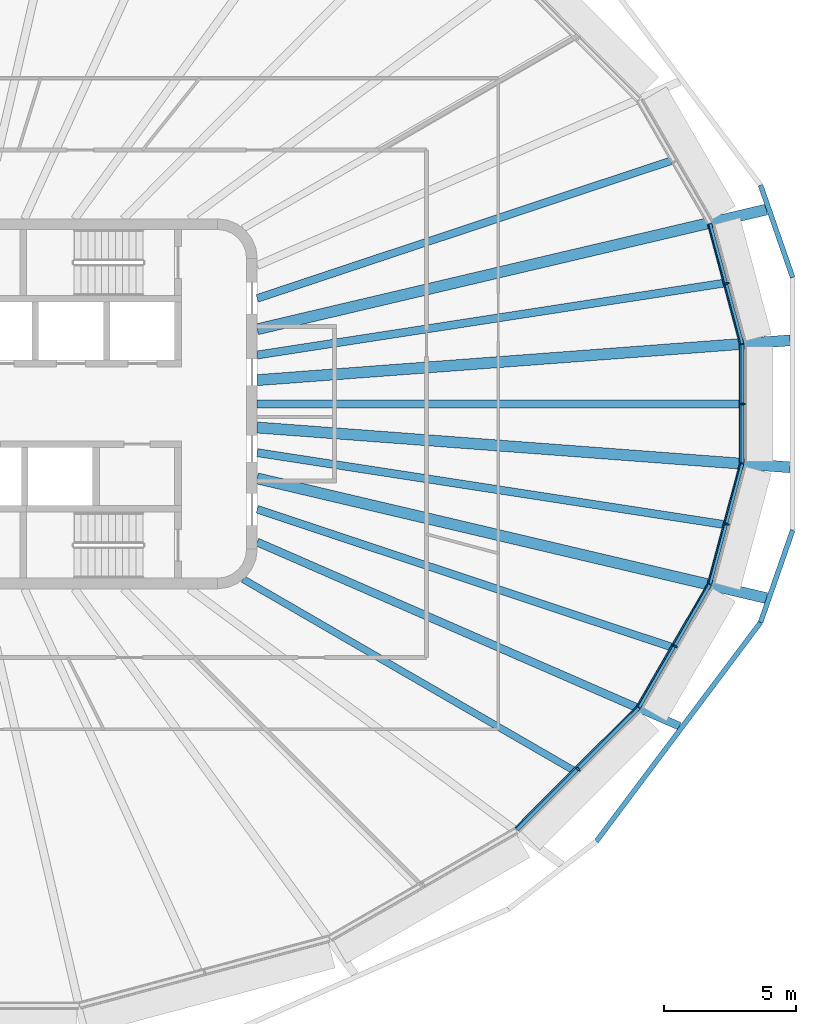
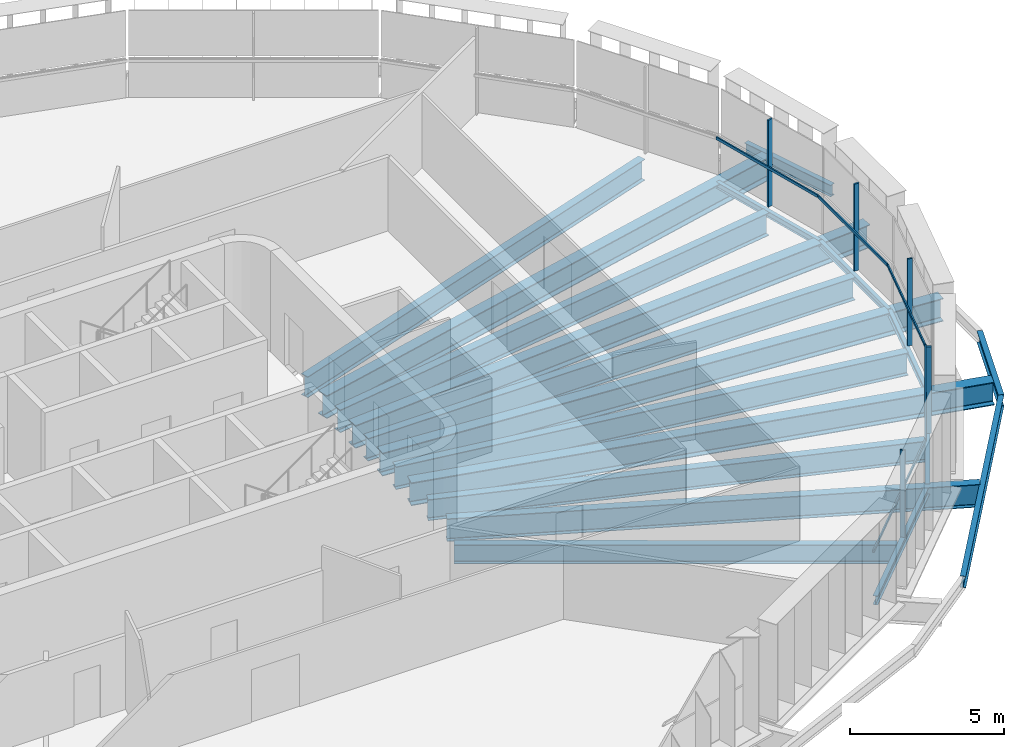
# One storey, part 4 of 19: 19 beams, 10 members, 5 elements without a shape of their own.
"""IFC4 building model written with IfcOpenShell, lengths in metres."""

from ifc_helpers import new_model, si_unit, direction, frame, origin, origin_2d, place, context, subcontext, project, spatial, rectangle, i_section, extrude, material, layer, layer_set, material_profile, profile_set, type_object, element, aggregate, save


model = new_model("IFC4")

# Units and contexts
model_context = context("Model", 3, precision=1e-05, world=origin(), true_north=direction((0.0, 1.0)))
body_context = subcontext(model_context, "Body", "Model", "MODEL_VIEW")
ifc_project = project(units=[si_unit("LENGTHUNIT", "METRE"), si_unit("AREAUNIT", "SQUARE_METRE"), si_unit("VOLUMEUNIT", "CUBIC_METRE"), si_unit("PLANEANGLEUNIT", "RADIAN"), si_unit("MASSUNIT", "GRAM", prefix="KILO")], contexts=[model_context])

# Site, building, storey
site_placement = place(None, origin())
site = spatial("IfcSite", under=ifc_project, at=site_placement, CompositionType="ELEMENT")
building_placement = place(site_placement, origin())
building = spatial("IfcBuilding", under=site, at=building_placement, Name="Sahrelin Media Tower", CompositionType="ELEMENT")
storey_placement = place(building_placement, frame((0.0, 0.0, 229.60009765625)))
storey = spatial("IfcBuildingStorey", under=building, at=storey_placement, Name="L49", CompositionType="ELEMENT", Elevation=229.60009765625)

# Beams
ifc_material_1 = material(Name="Steel S355", Category="steel")
ifc_material_profile_1 = material_profile(ifc_material_1, i_section(OverallWidth=0.14599609375, OverallDepth=0.25146484375, WebThickness=0.006103515625, FlangeThickness=0.008544921875, FilletRadius=0.007568359375, at=origin_2d()), Name="UB 254x146x31")
ifc_profile_set_1 = profile_set([ifc_material_profile_1], Name="Steel S355")
beam_type_1 = type_object("IfcBeamType", Name="Edge beam EB1", PredefinedType="BEAM", material=ifc_profile_set_1)
beam_1_placement = place(storey_placement, frame((30.343994140625, 2.24365234375, -0.27587890625), z_axis=(0.0, -1.0, 0.0), x_axis=(1.0, 0.0, 0.0)))
element("IfcBeam", 1, at=beam_1_placement, inside=storey, type_object=beam_type_1, Name="Edge beam L49-01", PredefinedType="BEAM", context=body_context, shape_type="SweptSolid", body=[
    extrude(i_section(OverallWidth=0.14599609375, OverallDepth=0.25146484375, WebThickness=0.006103515625, FlangeThickness=0.008544921875, FilletRadius=0.007568359375, at=origin_2d()), origin(), (0.0, 0.0, 1.0), 4.4873046875),
])
for number, where, z_axis, x_axis, name in (
    (2, (30.34033203125, -2.272216796875, -0.27587890625), (-0.258794986655, -0.965932272409, 0.0), (0.965932272409, -0.258794986655, 0.0), "Edge beam L49-02"),
    (3, (29.125, 6.808349609375, -0.27587890625), (0.258794986655, -0.965932272409, 0.0), (0.965932272409, 0.258794986655, 0.0), "Edge beam L49-20"),
):
    element("IfcBeam", number, at=place(storey_placement, frame(where, z_axis=z_axis, x_axis=x_axis)), inside=storey, type_object=beam_type_1, Name=name, PredefinedType="BEAM", context=body_context, shape_type="SweptSolid", body=[
        extrude(i_section(OverallWidth=0.14599609375, OverallDepth=0.25146484375, WebThickness=0.006103515625, FlangeThickness=0.008544921875, FilletRadius=0.007568359375, at=origin_2d()), origin(), (0.0, 0.0, 1.0), 4.696044921875),
    ])
ifc_material_profile_2 = material_profile(ifc_material_1, i_section(OverallWidth=0.1650390625, OverallDepth=0.303466796875, WebThickness=0.006103515625, FlangeThickness=0.01025390625, FilletRadius=0.0087890625, at=origin_2d()), Name="UB 305x165x40")
ifc_profile_set_2 = profile_set([ifc_material_profile_2], Name="Steel S355")
beam_type_2 = type_object("IfcBeamType", Name="Edge beam EB2", PredefinedType="BEAM", material=ifc_profile_set_2)
beam_2_placement = place(storey_placement, frame((29.114013671875, -6.8349609375, -0.3017578125), z_axis=(-0.500023797175, -0.866011664043, 0.0), x_axis=(0.866011664043, -0.500023797175, 0.0)))
element("IfcBeam", 4, at=beam_2_placement, inside=storey, type_object=beam_type_2, Name="Edge beam L49-03", PredefinedType="BEAM", context=body_context, shape_type="SweptSolid", body=[
    extrude(i_section(OverallWidth=0.1650390625, OverallDepth=0.303466796875, WebThickness=0.006103515625, FlangeThickness=0.01025390625, FilletRadius=0.0087890625, at=origin_2d()), origin(), (0.0, 0.0, 1.0), 5.353271484375),
])
ifc_material_profile_3 = material_profile(ifc_material_1, i_section(OverallWidth=0.17138671875, OverallDepth=0.35498046875, WebThickness=0.00732421875, FlangeThickness=0.011474609375, FilletRadius=0.01025390625, at=origin_2d()), Name="UB 356x171x51")
ifc_profile_set_3 = profile_set([ifc_material_profile_3], Name="Steel S355")
beam_type_3 = type_object("IfcBeamType", Name="Edge beam EB3", PredefinedType="BEAM", material=ifc_profile_set_3)
beam_3_placement = place(storey_placement, frame((26.419921875, -11.493896484375, -0.32763671875), z_axis=(-0.707125508771, -0.707088053106, 0.0), x_axis=(0.707088053106, -0.707125508771, 0.0)))
element("IfcBeam", 5, at=beam_3_placement, inside=storey, type_object=beam_type_3, Name="Edge beam L49-04", PredefinedType="BEAM", context=body_context, shape_type="SweptSolid", body=[
    extrude(i_section(OverallWidth=0.17138671875, OverallDepth=0.35498046875, WebThickness=0.00732421875, FlangeThickness=0.011474609375, FilletRadius=0.01025390625, at=origin_2d()), origin(), (0.0, 0.0, 1.0), 6.51806640625),
])

# Curtain wall, member
ifc_material_2 = material(Name="Champagne anodised aluminium 6063-T6", Category="aluminium")
ifc_layer = layer(ifc_material_2, 0.14990234375)
ifc_layer_set = layer_set([ifc_layer], Name="Tower ribbon curtain wall")
curtain_wall_type = type_object("IfcCurtainWallType", Name="Tower ribbon curtain wall", PredefinedType="NOTDEFINED", material=ifc_layer_set)
curtain_wall_1_placement = place(storey_placement, frame((30.494140625, 0.0, 0.0), z_axis=(0.0, 0.0, 1.0), x_axis=(1.0, 0.0, 0.0)))
curtain_wall_1 = element("IfcCurtainWall", 6, at=curtain_wall_1_placement, inside=storey, type_object=curtain_wall_type, Name="L49:CW:L49-00", PredefinedType="NOTDEFINED")
ifc_material_profile_4 = material_profile(ifc_material_2, rectangle(XDim=0.06005859375, YDim=0.175048828125, at=origin_2d()), Name="Mullion 60x175")
ifc_profile_set_4 = profile_set([ifc_material_profile_4], Name="Champagne anodised aluminium 6063-T6")
member_type_1 = type_object("IfcMemberType", Name="Mullion 60x175 CW1B", PredefinedType="MULLION", material=ifc_profile_set_4)
member_1_placement = place(storey_placement, frame((30.38671875, 0.0, 0.0), z_axis=(0.0, 0.0, 1.0), x_axis=(0.0, 1.0, 0.0)))
member_1 = element("IfcMember", 7, at=member_1_placement, type_object=member_type_1, Name="L49:CWM:L49-00", PredefinedType="MULLION", context=body_context, shape_type="SweptSolid", body=[
    extrude(rectangle(XDim=0.06005859375, YDim=0.175048828125, at=origin_2d()), origin(), (0.0, 0.0, 1.0), 3.448486328125),
])

curtain_wall_2_placement = place(storey_placement, frame((29.87744140625, 4.5791015625, 0.0), z_axis=(0.0, 0.0, 1.0), x_axis=(1.0, 0.0, 0.0)))
curtain_wall_2 = element("IfcCurtainWall", 8, at=curtain_wall_2_placement, inside=storey, type_object=curtain_wall_type, Name="L49:CW:L49-01", PredefinedType="NOTDEFINED")
member_2_placement = place(storey_placement, frame((29.773681640625, 4.55126953125, 0.0), z_axis=(0.0, 0.0, 1.0), x_axis=(-0.258817359244, 0.965926278012, 0.0)))
member_2 = element("IfcMember", 9, at=member_2_placement, type_object=member_type_1, Name="L49:CWM:L49-01", PredefinedType="MULLION", context=body_context, shape_type="SweptSolid", body=[
    extrude(rectangle(XDim=0.06005859375, YDim=0.175048828125, at=origin_2d()), origin(), (0.0, 0.0, 1.0), 3.448486328125),
])

curtain_wall_3_placement = place(storey_placement, frame((24.22119140625, -13.904296875, 0.0), z_axis=(0.0, 0.0, 1.0), x_axis=(1.0, 0.0, 0.0)))
curtain_wall_3 = element("IfcCurtainWall", 10, at=curtain_wall_3_placement, inside=storey, type_object=curtain_wall_type, Name="L49:CW:L49-21", PredefinedType="NOTDEFINED")
member_3_placement = place(storey_placement, frame((24.145263671875, -13.828369140625, 0.0), z_axis=(0.0, 0.0, 1.0), x_axis=(0.707106781187, 0.707106781187, 0.0)))
member_3 = element("IfcMember", 11, at=member_3_placement, type_object=member_type_1, Name="L49:CWM:L49-21", PredefinedType="MULLION", context=body_context, shape_type="SweptSolid", body=[
    extrude(rectangle(XDim=0.06005859375, YDim=0.175048828125, at=origin_2d()), origin(), (0.0, 0.0, 1.0), 3.448486328125),
])

curtain_wall_4_placement = place(storey_placement, frame((27.905517578125, -9.227783203125, 0.0), z_axis=(0.0, 0.0, 1.0), x_axis=(1.0, 0.0, 0.0)))
curtain_wall_4 = element("IfcCurtainWall", 12, at=curtain_wall_4_placement, inside=storey, type_object=curtain_wall_type, Name="L49:CW:L49-22", PredefinedType="NOTDEFINED")
member_4_placement = place(storey_placement, frame((27.8125, -9.17431640625, 0.0), z_axis=(0.0, 0.0, 1.0), x_axis=(0.499995465495, 0.866028021766, 0.0)))
member_4 = element("IfcMember", 13, at=member_4_placement, type_object=member_type_1, Name="L49:CWM:L49-22", PredefinedType="MULLION", context=body_context, shape_type="SweptSolid", body=[
    extrude(rectangle(XDim=0.06005859375, YDim=0.175048828125, at=origin_2d()), origin(), (0.0, 0.0, 1.0), 3.448486328125),
])

curtain_wall_5_placement = place(storey_placement, frame((29.87744140625, -4.5791015625, 0.0), z_axis=(0.0, 0.0, 1.0), x_axis=(1.0, 0.0, 0.0)))
curtain_wall_5 = element("IfcCurtainWall", 14, at=curtain_wall_5_placement, inside=storey, type_object=curtain_wall_type, Name="L49:CW:L49-23", PredefinedType="NOTDEFINED")
member_5_placement = place(storey_placement, frame((29.773681640625, -4.55126953125, 0.0), z_axis=(0.0, 0.0, 1.0), x_axis=(0.258817359244, 0.965926278012, 0.0)))
member_5 = element("IfcMember", 15, at=member_5_placement, type_object=member_type_1, Name="L49:CWM:L49-23", PredefinedType="MULLION", context=body_context, shape_type="SweptSolid", body=[
    extrude(rectangle(XDim=0.06005859375, YDim=0.175048828125, at=origin_2d()), origin(), (0.0, 0.0, 1.0), 3.448486328125),
])

# Beams
ifc_material_profile_5 = material_profile(ifc_material_1, i_section(OverallWidth=0.30322265625, OverallDepth=0.903076171875, WebThickness=0.01513671875, FlangeThickness=0.020263671875, FilletRadius=0.01904296875, at=origin_2d()), Name="UB 914x305x201")
ifc_profile_set_5 = profile_set([ifc_material_profile_5], Name="Steel S355")
beam_type_4 = type_object("IfcBeamType", Name="Radial primary beam PB11", PredefinedType="BEAM", material=ifc_profile_set_5)
beam_4_placement = place(storey_placement, frame((12.0, -5.23193359375, -0.6015625), z_axis=(0.916663739378, -0.399659341077, 0.0), x_axis=(0.399659341077, 0.916663739378, 0.0)))
element("IfcBeam", 16, at=beam_4_placement, inside=storey, type_object=beam_type_4, Name="Radial beam L49-22", PredefinedType="BEAM", context=body_context, shape_type="SweptSolid", body=[
    extrude(i_section(OverallWidth=0.30322265625, OverallDepth=0.903076171875, WebThickness=0.01513671875, FlangeThickness=0.020263671875, FilletRadius=0.01904296875, at=origin_2d()), origin(), (0.0, 0.0, 1.0), 17.434814453125),
])
ifc_material_profile_6 = material_profile(ifc_material_1, i_section(OverallWidth=0.41845703125, OverallDepth=0.911865234375, WebThickness=0.019287109375, FlangeThickness=0.031982421875, FilletRadius=0.024169921875, at=origin_2d()), Name="UB 914x419x343")
ifc_profile_set_6 = profile_set([ifc_material_profile_6], Name="Steel S355")
beam_type_5 = type_object("IfcBeamType", Name="Radial primary beam PB12", PredefinedType="BEAM", material=ifc_profile_set_6)
beam_5_placement = place(storey_placement, frame((12.0, 0.896484375, -0.60595703125), z_axis=(0.997221774795, 0.074489810539, 0.0), x_axis=(-0.074489810539, 0.997221774795, 0.0)))
element("IfcBeam", 17, at=beam_5_placement, inside=storey, type_object=beam_type_5, Name="Radial beam L49-01", PredefinedType="BEAM", context=body_context, shape_type="SweptSolid", body=[
    extrude(i_section(OverallWidth=0.41845703125, OverallDepth=0.911865234375, WebThickness=0.019287109375, FlangeThickness=0.031982421875, FilletRadius=0.024169921875, at=origin_2d()), origin(), (0.0, 0.0, 1.0), 20.22216796875),
])
for number, where, z_axis, x_axis, name in (
    (18, (12.0, 2.821533203125, -0.60595703125), (0.97344886828, 0.22890456711, 0.0), (-0.22890456711, 0.97344886828, 0.0), "Radial beam L49-02"),
    (19, (12.0, -2.821533203125, -0.60595703125), (0.97344886828, -0.22890456711, 0.0), (0.22890456711, 0.97344886828, 0.0), "Radial beam L49-23"),
):
    element("IfcBeam", number, at=place(storey_placement, frame(where, z_axis=z_axis, x_axis=x_axis)), inside=storey, type_object=beam_type_5, Name=name, PredefinedType="BEAM", context=body_context, shape_type="SweptSolid", body=[
        extrude(i_section(OverallWidth=0.41845703125, OverallDepth=0.911865234375, WebThickness=0.019287109375, FlangeThickness=0.031982421875, FilletRadius=0.024169921875, at=origin_2d()), origin(), (0.0, 0.0, 1.0), 19.791015625),
    ])
beam_6_placement = place(storey_placement, frame((12.0, -0.896484375, -0.60595703125), z_axis=(0.997221774795, -0.074489810539, 0.0), x_axis=(0.074489810539, 0.997221774795, 0.0)))
element("IfcBeam", 20, at=beam_6_placement, inside=storey, type_object=beam_type_5, Name="Radial beam L49-24", PredefinedType="BEAM", context=body_context, shape_type="SweptSolid", body=[
    extrude(i_section(OverallWidth=0.41845703125, OverallDepth=0.911865234375, WebThickness=0.019287109375, FlangeThickness=0.031982421875, FilletRadius=0.024169921875, at=origin_2d()), origin(), (0.0, 0.0, 1.0), 20.22216796875),
])
ifc_material_profile_7 = material_profile(ifc_material_1, i_section(OverallWidth=0.291748046875, OverallDepth=0.8349609375, WebThickness=0.013916015625, FlangeThickness=0.018798828125, FilletRadius=0.017822265625, at=origin_2d()), Name="UB 838x292x176")
ifc_profile_set_7 = profile_set([ifc_material_profile_7], Name="Steel S355")
beam_type_6 = type_object("IfcBeamType", Name="Radial secondary beam SB10", PredefinedType="BEAM", material=ifc_profile_set_7)
for number, where, z_axis, x_axis, name in (
    (21, (12.0, 3.990478515625, -0.567626953125), (0.948906514387, 0.315557327524, 0.0), (-0.315557327524, 0.948906514387, 0.0), "Secondary beam L49-02"),
    (22, (12.0, -3.990478515625, -0.567626953125), (0.948906514387, -0.315557327524, 0.0), (0.315557327524, 0.948906514387, 0.0), "Secondary beam L49-18"),
):
    element("IfcBeam", number, at=place(storey_placement, frame(where, z_axis=z_axis, x_axis=x_axis)), inside=storey, type_object=beam_type_6, Name=name, PredefinedType="BEAM", context=body_context, shape_type="SweptSolid", body=[
        extrude(i_section(OverallWidth=0.291748046875, OverallDepth=0.8349609375, WebThickness=0.013916015625, FlangeThickness=0.018798828125, FilletRadius=0.017822265625, at=origin_2d()), origin(), (0.0, 0.0, 1.0), 16.498046875),
    ])
ifc_material_profile_8 = material_profile(ifc_material_1, i_section(OverallWidth=0.30322265625, OverallDepth=0.903076171875, WebThickness=0.01513671875, FlangeThickness=0.020263671875, FilletRadius=0.01904296875, at=origin_2d()), Name="UB 914x305x201")
ifc_profile_set_8 = profile_set([ifc_material_profile_8], Name="Steel S355")
beam_type_7 = type_object("IfcBeamType", Name="Radial secondary beam SB11", PredefinedType="BEAM", material=ifc_profile_set_8)
for number, where, z_axis, x_axis, name in (
    (23, (12.0, 1.847412109375, -0.6015625), (0.988356204029, 0.152157858676, 0.0), (-0.152157858676, 0.988356204029, 0.0), "Secondary beam L49-01"),
    (24, (12.0, -1.847412109375, -0.6015625), (0.988356204029, -0.152157858676, 0.0), (0.152157858676, 0.988356204029, 0.0), "Secondary beam L49-19"),
):
    element("IfcBeam", number, at=place(storey_placement, frame(where, z_axis=z_axis, x_axis=x_axis)), inside=storey, type_object=beam_type_7, Name=name, PredefinedType="BEAM", context=body_context, shape_type="SweptSolid", body=[
        extrude(i_section(OverallWidth=0.30322265625, OverallDepth=0.903076171875, WebThickness=0.01513671875, FlangeThickness=0.020263671875, FilletRadius=0.01904296875, at=origin_2d()), origin(), (0.0, 0.0, 1.0), 17.8583984375),
    ])
beam_7_placement = place(storey_placement, frame((12.0, 0.0, -0.6015625), z_axis=(1.0, 0.0, 0.0), x_axis=(0.0, 1.0, 0.0)))
element("IfcBeam", 25, at=beam_7_placement, inside=storey, type_object=beam_type_7, Name="Secondary beam L49-20", PredefinedType="BEAM", context=body_context, shape_type="SweptSolid", body=[
    extrude(i_section(OverallWidth=0.30322265625, OverallDepth=0.903076171875, WebThickness=0.01513671875, FlangeThickness=0.020263671875, FilletRadius=0.01904296875, at=origin_2d()), origin(), (0.0, 0.0, 1.0), 18.27099609375),
])
ifc_material_profile_9 = material_profile(ifc_material_1, i_section(OverallWidth=0.26513671875, OverallDepth=0.75390625, WebThickness=0.0126953125, FlangeThickness=0.017578125, FilletRadius=0.0166015625, at=origin_2d()), Name="UB 762x267x147")
ifc_profile_set_9 = profile_set([ifc_material_profile_9], Name="Steel S355")
beam_type_8 = type_object("IfcBeamType", Name="Radial secondary beam SB9", PredefinedType="BEAM", material=ifc_profile_set_9)
beam_8_placement = place(storey_placement, frame((11.464599609375, -6.63427734375, -0.527099609375), z_axis=(0.8655283248, -0.500859979405, 0.0), x_axis=(0.500859979405, 0.8655283248, 0.0)))
element("IfcBeam", 26, at=beam_8_placement, inside=storey, type_object=beam_type_8, Name="Secondary beam L49-17", PredefinedType="BEAM", context=body_context, shape_type="SweptSolid", body=[
    extrude(i_section(OverallWidth=0.26513671875, OverallDepth=0.75390625, WebThickness=0.0126953125, FlangeThickness=0.017578125, FilletRadius=0.0166015625, at=origin_2d()), origin(), (0.0, 0.0, 1.0), 14.41259765625),
])
ifc_material_profile_10 = material_profile(ifc_material_1, i_section(OverallWidth=0.1904296875, OverallDepth=0.45703125, WebThickness=0.009033203125, FlangeThickness=0.014404296875, FilletRadius=0.01025390625, at=origin_2d()), Name="UB 457x191x74")
ifc_profile_set_10 = profile_set([ifc_material_profile_10], Name="Steel S355")
beam_type_9 = type_object("IfcBeamType", Name="Tie chord TC5", PredefinedType="BEAM", material=ifc_profile_set_10)
beam_9_placement = place(storey_placement, frame((32.26123046875, 4.781494140625, -0.378662109375), z_axis=(-0.328753568035, 0.944415740818, 0.0), x_axis=(-0.944415740818, -0.328753568035, 0.0)))
element("IfcBeam", 27, at=beam_9_placement, inside=storey, type_object=beam_type_9, Name="Tie chord L49-01", PredefinedType="BEAM", context=body_context, shape_type="SweptSolid", body=[
    extrude(i_section(OverallWidth=0.1904296875, OverallDepth=0.45703125, WebThickness=0.009033203125, FlangeThickness=0.014404296875, FilletRadius=0.01025390625, at=origin_2d()), origin(), (0.0, 0.0, 1.0), 3.698974609375),
])
beam_10_placement = place(storey_placement, frame((24.8330078125, -16.556396484375, -0.378662109375), z_axis=(0.600064143266, 0.799951888533, 0.0), x_axis=(-0.799951888533, 0.600064143266, 0.0)))
element("IfcBeam", 28, at=beam_10_placement, inside=storey, type_object=beam_type_9, Name="Tie chord L49-22", PredefinedType="BEAM", context=body_context, shape_type="SweptSolid", body=[
    extrude(i_section(OverallWidth=0.1904296875, OverallDepth=0.45703125, WebThickness=0.009033203125, FlangeThickness=0.014404296875, FilletRadius=0.01025390625, at=origin_2d()), origin(), (0.0, 0.0, 1.0), 10.3525390625),
])
beam_11_placement = place(storey_placement, frame((31.045166015625, -8.27490234375, -0.378662109375), z_axis=(0.328753568035, 0.944415740818, 0.0), x_axis=(-0.944415740818, 0.328753568035, 0.0)))
element("IfcBeam", 29, at=beam_11_placement, inside=storey, type_object=beam_type_9, Name="Tie chord L49-23", PredefinedType="BEAM", context=body_context, shape_type="SweptSolid", body=[
    extrude(i_section(OverallWidth=0.1904296875, OverallDepth=0.45703125, WebThickness=0.009033203125, FlangeThickness=0.014404296875, FilletRadius=0.01025390625, at=origin_2d()), origin(), (0.0, 0.0, 1.0), 3.698974609375),
])

# Member
ifc_material_profile_11 = material_profile(ifc_material_2, rectangle(XDim=0.050048828125, YDim=0.110107421875, at=origin_2d()), Name="Transom 50x110")
ifc_profile_set_11 = profile_set([ifc_material_profile_11], Name="Champagne anodised aluminium 6063-T6")
member_type_2 = type_object("IfcMemberType", Name="Transom 50x110 CW1B", PredefinedType="USERDEFINED", material=ifc_profile_set_11)
member_6_placement = place(storey_placement, frame((30.274169921875, -2.227783203125, 1.599853515625), z_axis=(0.0, 1.0, 0.0), x_axis=(-1.0, 0.0, 0.0)))
member_6 = element("IfcMember", 30, at=member_6_placement, type_object=member_type_2, Name="L49:CWT:L49-00", ObjectType="TRANSOM", PredefinedType="USERDEFINED", context=body_context, shape_type="SweptSolid", body=[
    extrude(rectangle(XDim=0.050048828125, YDim=0.110107421875, at=origin_2d()), origin(), (0.0, 0.0, 1.0), 4.45556640625),
])

aggregate(curtain_wall_1, [member_1, member_6])

member_7_placement = place(storey_placement, frame((30.268798828125, 2.269287109375, 1.599853515625), z_axis=(-0.258854676621, 0.965916278148, 0.0), x_axis=(-0.965916278148, -0.258854676621, 0.0)))
member_7 = element("IfcMember", 31, at=member_7_placement, type_object=member_type_2, Name="L49:CWT:L49-01", ObjectType="TRANSOM", PredefinedType="USERDEFINED", context=body_context, shape_type="SweptSolid", body=[
    extrude(rectangle(XDim=0.050048828125, YDim=0.110107421875, at=origin_2d()), origin(), (0.0, 0.0, 1.0), 4.664794921875),
])

aggregate(curtain_wall_2, [member_2, member_7])

member_8_placement = place(storey_placement, frame((21.772216796875, -16.042236328125, 1.599853515625), z_axis=(0.707106781187, 0.707106781187, 0.0), x_axis=(-0.707106781187, 0.707106781187, 0.0)))
member_8 = element("IfcMember", 32, at=member_8_placement, type_object=member_type_2, Name="L49:CWT:L49-21", ObjectType="TRANSOM", PredefinedType="USERDEFINED", context=body_context, shape_type="SweptSolid", body=[
    extrude(rectangle(XDim=0.050048828125, YDim=0.110107421875, at=origin_2d()), origin(), (0.0, 0.0, 1.0), 6.48681640625),
])

aggregate(curtain_wall_3, [member_3, member_8])

member_9_placement = place(storey_placement, frame((26.384521484375, -11.42236328125, 1.599853515625), z_axis=(0.500012351221, 0.866018272686, 0.0), x_axis=(-0.866018272686, 0.500012351221, 0.0)))
member_9 = element("IfcMember", 33, at=member_9_placement, type_object=member_type_2, Name="L49:CWT:L49-22", ObjectType="TRANSOM", PredefinedType="USERDEFINED", context=body_context, shape_type="SweptSolid", body=[
    extrude(rectangle(XDim=0.050048828125, YDim=0.110107421875, at=origin_2d()), origin(), (0.0, 0.0, 1.0), 5.321533203125),
])

aggregate(curtain_wall_4, [member_4, member_9])

member_10_placement = place(storey_placement, frame((29.061279296875, -6.775146484375, 1.599853515625), z_axis=(0.258854676621, 0.965916278148, 0.0), x_axis=(-0.965916278148, 0.258854676621, 0.0)))
member_10 = element("IfcMember", 34, at=member_10_placement, type_object=member_type_2, Name="L49:CWT:L49-23", ObjectType="TRANSOM", PredefinedType="USERDEFINED", context=body_context, shape_type="SweptSolid", body=[
    extrude(rectangle(XDim=0.050048828125, YDim=0.110107421875, at=origin_2d()), origin(), (0.0, 0.0, 1.0), 4.664794921875),
])

aggregate(curtain_wall_5, [member_5, member_10])

save(model, "model.ifc")
